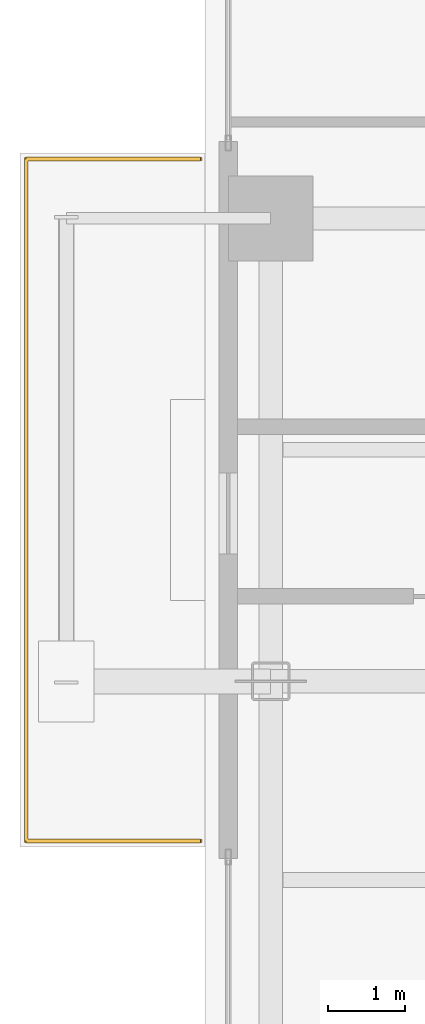
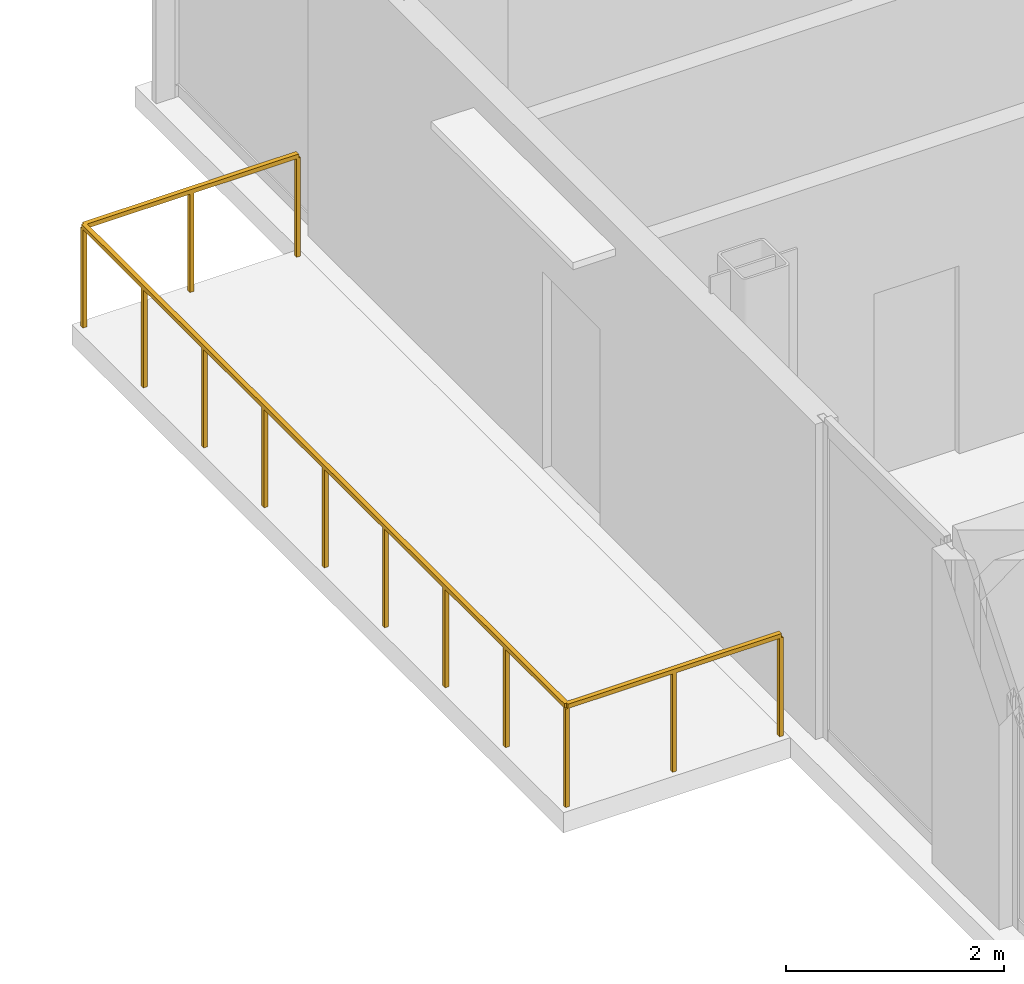
# One storey, part 28 of 28: 1 railing.
"""IFC4 building model written with IfcOpenShell, lengths in metres."""

from ifc_helpers import new_model, si_unit, direction, frame, origin, origin_2d, place, context, subcontext, project, spatial, rectangle, extrude, material, type_object, element, save


model = new_model("IFC4")

# Units and contexts
model_context = context("Model", 3, precision=1e-05, world=origin(), true_north=direction((0.0, 1.0)))
body_context = subcontext(model_context, "Body", "Model", "MODEL_VIEW")
ifc_project = project(units=[si_unit("LENGTHUNIT", "METRE"), si_unit("AREAUNIT", "SQUARE_METRE"), si_unit("VOLUMEUNIT", "CUBIC_METRE"), si_unit("PLANEANGLEUNIT", "RADIAN"), si_unit("MASSUNIT", "GRAM", prefix="KILO"), si_unit("THERMODYNAMICTEMPERATUREUNIT", "KELVIN"), si_unit("POWERUNIT", "WATT")], contexts=[model_context])

# Site, building, storey
site_placement = place(None, origin())
site = spatial("IfcSite", under=ifc_project, at=site_placement, CompositionType="ELEMENT")
building_placement = place(site_placement, origin())
building = spatial("IfcBuilding", under=site, at=building_placement, Name="Svarakhadi Broadcast Tower", CompositionType="ELEMENT")
storey_placement = place(building_placement, frame((0.0, 0.0, 149.39990234375)))
storey = spatial("IfcBuildingStorey", under=building, at=storey_placement, Name="L36", CompositionType="ELEMENT", Elevation=149.39990234375)

# Railing
ifc_material = material(Name="Laminated Structural SentryGlas Balustrade 25.5 mm", Category="glass")
railing_type = type_object("IfcRailingType", Name="Guard_Balcony_GR01", PredefinedType="BALUSTRADE", material=ifc_material)
railing_placement = place(storey_placement, frame((-0.06005859375, 27.080078125, 0.0)))
element("IfcRailing", 1, at=railing_placement, inside=storey, type_object=railing_type, Name="L36 West Tree Balcony Guard GR-05", PredefinedType="BALUSTRADE", context=body_context, shape_type="SweptSolid", body=[
    extrude(rectangle(XDim=0.048095703125, YDim=0.048095703125, at=origin_2d()), frame((0.0, 0.0, 1.1259765625), z_axis=(-1.0, 0.0, 0.0), x_axis=(0.0, -1.0, 0.0)), (0.0, 0.0, 1.0), 2.260009765625),
    extrude(rectangle(XDim=0.048095703125, YDim=0.048095703125, at=origin_2d()), frame((-2.260009765625, 0.0, 1.1259765625), z_axis=(0.0, 1.0, 0.0), x_axis=(-1.0, 0.0, 0.0)), (0.0, 0.0, 1.0), 8.83984375),
    extrude(rectangle(XDim=0.048095703125, YDim=0.048095703125, at=origin_2d()), frame((-2.260009765625, 8.83984375, 1.1259765625), z_axis=(1.0, 0.0, 0.0), x_axis=(0.0, 1.0, 0.0)), (0.0, 0.0, 1.0), 2.260009765625),
    extrude(rectangle(XDim=0.0419921875, YDim=0.0419921875, at=origin_2d()), origin(), (0.0, 0.0, 1.0), 1.101806640625),
    extrude(rectangle(XDim=0.0419921875, YDim=0.0419921875, at=origin_2d()), frame((-1.1298828125, 0.0, 0.0)), (0.0, 0.0, 1.0), 1.101806640625),
    extrude(rectangle(XDim=0.0419921875, YDim=0.0419921875, at=origin_2d()), frame((-2.260009765625, 0.0, 0.0)), (0.0, 0.0, 1.0), 1.101806640625),
    extrude(rectangle(XDim=0.0419921875, YDim=0.0419921875, at=origin_2d()), frame((-2.260009765625, 1.10498046875, 0.0)), (0.0, 0.0, 1.0), 1.101806640625),
    extrude(rectangle(XDim=0.0419921875, YDim=0.0419921875, at=origin_2d()), frame((-2.260009765625, 2.2099609375, 0.0)), (0.0, 0.0, 1.0), 1.101806640625),
    extrude(rectangle(XDim=0.0419921875, YDim=0.0419921875, at=origin_2d()), frame((-2.260009765625, 3.31494140625, 0.0)), (0.0, 0.0, 1.0), 1.101806640625),
    extrude(rectangle(XDim=0.0419921875, YDim=0.0419921875, at=origin_2d()), frame((-2.260009765625, 4.419921875, 0.0)), (0.0, 0.0, 1.0), 1.101806640625),
    extrude(rectangle(XDim=0.0419921875, YDim=0.0419921875, at=origin_2d()), frame((-2.260009765625, 5.52490234375, 0.0)), (0.0, 0.0, 1.0), 1.101806640625),
    extrude(rectangle(XDim=0.0419921875, YDim=0.0419921875, at=origin_2d()), frame((-2.260009765625, 6.6298828125, 0.0)), (0.0, 0.0, 1.0), 1.101806640625),
    extrude(rectangle(XDim=0.0419921875, YDim=0.0419921875, at=origin_2d()), frame((-2.260009765625, 7.73486328125, 0.0)), (0.0, 0.0, 1.0), 1.101806640625),
    extrude(rectangle(XDim=0.0419921875, YDim=0.0419921875, at=origin_2d()), frame((-2.260009765625, 8.83984375, 0.0)), (0.0, 0.0, 1.0), 1.101806640625),
    extrude(rectangle(XDim=0.0419921875, YDim=0.0419921875, at=origin_2d()), frame((-1.1298828125, 8.83984375, 0.0)), (0.0, 0.0, 1.0), 1.101806640625),
    extrude(rectangle(XDim=0.0419921875, YDim=0.0419921875, at=origin_2d()), frame((0.0, 8.83984375, 0.0)), (0.0, 0.0, 1.0), 1.101806640625),
])

save(model, "model.ifc")
